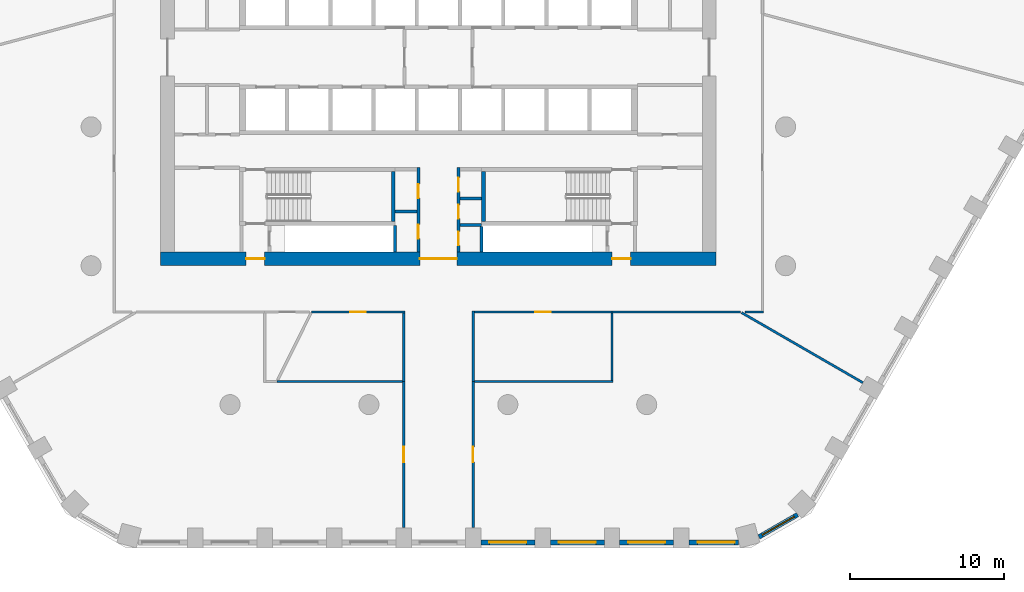
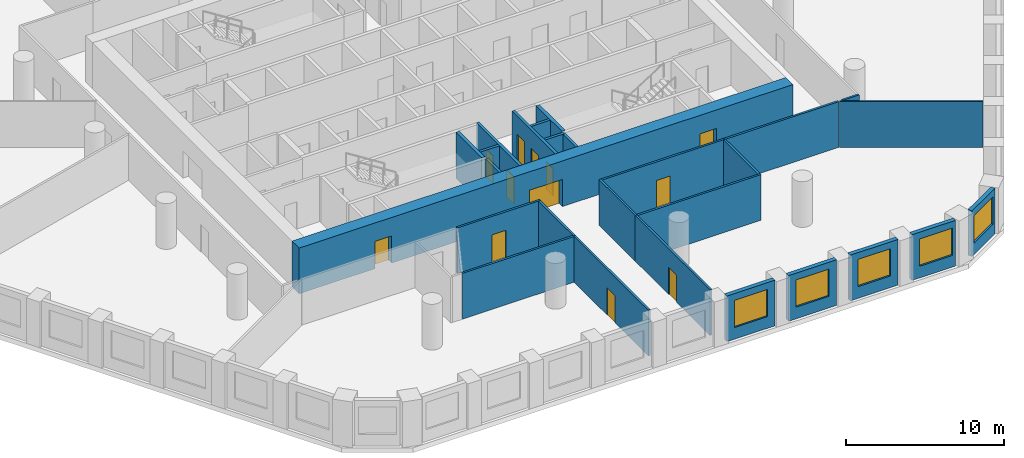
# One storey, part 3 of 9: 27 walls, 12 doors, 5 windows, 17 openings.
"""IFC4 building model written with IfcOpenShell, lengths in metres."""

import ifcopenshell
import ifcopenshell.guid

model = None  # the IFC model being written
_history = None  # IfcOwnerHistory: only IFC2X3 demands one
_inside = {}  # id of a spatial element -> (the spatial element, [elements in it])
_under = {}  # id of a project, library or spatial element -> (it, [spatial elements below it])
_declared = {}  # id of a project -> (the project, [libraries it declares])
_typed = {}  # id of a type object -> (the type object, [elements of that type])
_made_of = {}  # id of a material, layer set ... -> (it, [elements and type objects made of it])


def new_model(schema):
    """Start an empty IFC model of exactly this schema.

    Asked for "IFC4X3", IfcOpenShell would pick the latest addendum, in which some entities
    have other attributes; the version numbers below select the first issue.
    IFC2X3 requires an IfcOwnerHistory on every rooted entity: one is made here for all.
    """
    global model, _history
    if schema == "IFC4X3":
        model = ifcopenshell.file(schema_version=(4, 3, 0, 0))
    else:
        model = ifcopenshell.file(schema=schema)
    _inside.clear()
    _under.clear()
    _declared.clear()
    _typed.clear()
    _made_of.clear()
    _history = None
    if model.schema == "IFC2X3":
        org = make("IfcOrganization", Name="unknown")
        user = make(
            "IfcPersonAndOrganization",
            ThePerson=make("IfcPerson", FamilyName="unknown"),
            TheOrganization=org,
        )
        app = make(
            "IfcApplication",
            ApplicationDeveloper=org,
            Version="unknown",
            ApplicationFullName="unknown",
            ApplicationIdentifier="unknown",
        )
        _history = make(
            "IfcOwnerHistory",
            OwningUser=user,
            OwningApplication=app,
            ChangeAction="ADDED",
            CreationDate=0,
        )
    return model


def make(cls, **values):
    """One entity of the class cls with the attributes given. An attribute that is None is left unset."""
    return model.create_entity(
        cls, **{name: value for name, value in values.items() if value is not None}
    )


def rooted(cls, **values):
    """An entity with a GlobalId (a new one), such as an element, a storey or a relation."""
    return make(cls, GlobalId=ifcopenshell.guid.new(), OwnerHistory=_history, **values)


def si_unit(unit_type, name, prefix=None):
    """IfcSIUnit, for example si_unit("LENGTHUNIT", "METRE", prefix="MILLI")."""
    return make("IfcSIUnit", UnitType=unit_type, Prefix=prefix, Name=name)


def assignment(units):
    """IfcUnitAssignment: the units of a project."""
    return None if units is None else make("IfcUnitAssignment", Units=units)


def point(xyz):
    """IfcCartesianPoint."""
    return None if xyz is None else make("IfcCartesianPoint", Coordinates=xyz)


def direction(xyz):
    """IfcDirection."""
    return None if xyz is None else make("IfcDirection", DirectionRatios=xyz)


def frame(location, z_axis=None, x_axis=None):
    """IfcAxis2Placement3D, a coordinate frame: its origin and axes. An axis left out is left unset."""
    return make(
        "IfcAxis2Placement3D",
        Location=point(location),
        Axis=direction(z_axis),
        RefDirection=direction(x_axis),
    )


def frame_2d(location, x_axis=None):
    """IfcAxis2Placement2D, a coordinate frame in the plane: its origin and x axis."""
    return make(
        "IfcAxis2Placement2D", Location=point(location), RefDirection=direction(x_axis)
    )


def origin():
    """The frame at (0, 0, 0) with its axes left unset."""
    return frame((0.0, 0.0, 0.0))


def place(relative_to, where):
    """IfcLocalPlacement: puts the frame where relative to a parent placement (None: the world)."""
    return make(
        "IfcLocalPlacement", PlacementRelTo=relative_to, RelativePlacement=where
    )


def context(
    kind, dimensions, precision=None, world=None, true_north=None, identifier=None
):
    """IfcGeometricRepresentationContext, for example the 3D "Model" context."""
    return make(
        "IfcGeometricRepresentationContext",
        ContextIdentifier=identifier,
        ContextType=kind,
        CoordinateSpaceDimension=dimensions,
        Precision=precision,
        WorldCoordinateSystem=world,
        TrueNorth=true_north,
    )


def subcontext(parent, identifier, kind, view, scale=None):
    """IfcGeometricRepresentationSubContext, for example "Body" below "Model"."""
    return make(
        "IfcGeometricRepresentationSubContext",
        ContextIdentifier=identifier,
        ContextType=kind,
        ParentContext=parent,
        TargetScale=scale,
        TargetView=view,
    )


def project(units=None, contexts=None):
    """IfcProject with its units and contexts."""
    return rooted(
        "IfcProject",
        Name="project",
        RepresentationContexts=contexts,
        UnitsInContext=assignment(units),
    )


def spatial(cls, under=None, at=None, **own):
    """A site, building, storey or space (cls), placed at a placement, below another one or the project."""
    s = rooted(cls, ObjectPlacement=at, **own)
    if under is not None:
        _under.setdefault(under.id(), (under, []))[1].append(s)
    return s


def profile(cls, at=None, kind="AREA", **sizes):
    """A parametric profile (cls). Its sizes go by their IFC names, for example OverallWidth=200.0."""
    return make(cls, ProfileType=kind, Position=at, **sizes)


def rectangle(**sizes):
    """IfcRectangleProfileDef."""
    return profile("IfcRectangleProfileDef", **sizes)


def extrude(swept, where, along, depth):
    """IfcExtrudedAreaSolid: the profile swept, set in the frame where, extruded along a direction by depth."""
    return make(
        "IfcExtrudedAreaSolid",
        SweptArea=swept,
        Position=where,
        ExtrudedDirection=direction(along),
        Depth=depth,
    )


def shape(context_of_items, identifier, shape_type, items):
    """IfcShapeRepresentation: the items that make up one representation, for example the "Body"."""
    return make(
        "IfcShapeRepresentation",
        ContextOfItems=context_of_items,
        RepresentationIdentifier=identifier,
        RepresentationType=shape_type,
        Items=items,
    )


def material(Name=None, Category=None):
    """IfcMaterial."""
    return make("IfcMaterial", Name=Name, Category=Category)


def layer(
    of_material, thickness, ventilated=None, Name=None, Category=None, Priority=None
):
    """IfcMaterialLayer: one layer of a wall or slab, of a material (None: an air gap)."""
    return make(
        "IfcMaterialLayer",
        Material=of_material,
        LayerThickness=thickness,
        IsVentilated=ventilated,
        Name=Name,
        Category=Category,
        Priority=Priority,
    )


def layer_set(layers, Name=None):
    """IfcMaterialLayerSet."""
    return make("IfcMaterialLayerSet", MaterialLayers=layers, LayerSetName=Name)


def made_of(thing, what):
    """Note that an element or type object is made of a material, layer set ...; save() writes the relation."""
    if what is not None:
        _made_of.setdefault(what.id(), (what, []))[1].append(thing)
    return thing


def type_object(cls, material=None, **own):
    """A type object (cls), such as IfcWallType, which elements share."""
    return made_of(rooted(cls, **own), material)


def element(
    cls,
    number,
    at=None,
    inside=None,
    cuts=None,
    type_object=None,
    material=None,
    context=None,
    identifier="Body",
    shape_type=None,
    held_by="IfcProductDefinitionShape",
    body=None,
    shapes=None,
    **own,
):
    """One element of the class cls, such as IfcWall. Its Tag is "e" and its number.

    at: its placement. inside: the storey or other place that contains it. cuts: it is an
    opening in that element (IfcRelVoidsElement). A single representation is given by context,
    identifier, shape_type and body (its items); several are given by shapes. held_by: the class
    of the entity that holds the representations. save() writes the other relations.
    """
    e = rooted(cls, Tag="e%d" % number, ObjectPlacement=at, **own)
    if body is not None:
        shapes = [shape(context, identifier, shape_type, body)]
    if shapes is not None:
        e.Representation = make(held_by, Representations=shapes)
    if inside is not None:
        _inside.setdefault(inside.id(), (inside, []))[1].append(e)
    if cuts is not None:
        rooted(
            "IfcRelVoidsElement", RelatingBuildingElement=cuts, RelatedOpeningElement=e
        )
    if type_object is not None:
        _typed.setdefault(type_object.id(), (type_object, []))[1].append(e)
    return made_of(e, material)


def fill(opening, filler):
    """IfcRelFillsElement: the door or window that sits in an opening."""
    return rooted(
        "IfcRelFillsElement",
        RelatingOpeningElement=opening,
        RelatedBuildingElement=filler,
    )


def aggregate(whole, parts):
    """IfcRelAggregates: a whole, such as a stair, and the parts it consists of."""
    return rooted("IfcRelAggregates", RelatingObject=whole, RelatedObjects=parts)


def save(model, path):
    """Write the relations noted so far, then the file.

    IfcRelAggregates (storeys below a building ...), IfcRelContainedInSpatialStructure (elements
    in a storey), IfcRelDefinesByType, IfcRelAssociatesMaterial and IfcRelDeclares: one each for
    every whole, place, type object, material and project.
    """
    for whole, parts in _under.values():
        aggregate(whole, parts)
    for where, things in _inside.values():
        rooted(
            "IfcRelContainedInSpatialStructure",
            RelatedElements=things,
            RelatingStructure=where,
        )
    for kind, things in _typed.values():
        rooted("IfcRelDefinesByType", RelatedObjects=things, RelatingType=kind)
    for what, things in _made_of.values():
        rooted("IfcRelAssociatesMaterial", RelatedObjects=things, RelatingMaterial=what)
    for by, libraries in _declared.values():
        rooted("IfcRelDeclares", RelatingContext=by, RelatedDefinitions=libraries)
    model.write(path)


model = new_model("IFC4")

# Units and contexts
model_context = context("Model", 3, precision=1e-05, world=origin(), true_north=direction((0.0, 1.0)))
body_context = subcontext(model_context, "Body", "Model", "MODEL_VIEW")
ifc_project = project(units=[si_unit("LENGTHUNIT", "METRE"), si_unit("AREAUNIT", "SQUARE_METRE"), si_unit("VOLUMEUNIT", "CUBIC_METRE"), si_unit("PLANEANGLEUNIT", "RADIAN"), si_unit("MASSUNIT", "GRAM", prefix="KILO")], contexts=[model_context])

# Site, building, storey
site_placement = place(None, origin())
site = spatial("IfcSite", under=ifc_project, at=site_placement, CompositionType="ELEMENT")
building_placement = place(site_placement, origin())
building = spatial("IfcBuilding", under=site, at=building_placement, Name="Dhurran Vertical Campus", CompositionType="ELEMENT")
storey_placement = place(building_placement, frame((0.0, 0.0, 116.39990234375)))
storey = spatial("IfcBuildingStorey", under=building, at=storey_placement, Name="L28", CompositionType="ELEMENT", Elevation=116.39990234375)

# Wall, opening, window
ifc_material_1 = material(Name="Precast concrete C50/60", Category="concrete")
ifc_layer_1 = layer(ifc_material_1, 0.300048828125)
ifc_layer_set_1 = layer_set([ifc_layer_1], Name="Precast concrete C50/60")
wall_type_1 = type_object("IfcWallType", Name="Precast spandrel wall 300", PredefinedType="SOLIDWALL", material=ifc_layer_set_1)
wall_1_placement = place(storey_placement, frame((2.75048828125, -31.4296875, 0.0), z_axis=(0.0, 0.0, 1.0), x_axis=(1.0, 0.0, 0.0)))
wall_1 = element("IfcWall", 1, at=wall_1_placement, inside=storey, type_object=wall_type_1, Name="EW1 L28.05", PredefinedType="SOLIDWALL", context=body_context, shape_type="SweptSolid", body=[
    extrude(rectangle(XDim=3.4990234375, YDim=0.300048828125, at=frame_2d((1.74951171875, 0.0))), origin(), (0.0, 0.0, 1.0), 3.525146484375),
])
opening_1_placement = place(wall_1_placement, frame((0.549560546875, 0.0, 0.89990234375)))
opening_1 = element("IfcOpeningElement", 2, at=opening_1_placement, cuts=wall_1, Name="Opening WT1", PredefinedType="OPENING", context=body_context, shape_type="SweptSolid", body=[
    extrude(rectangle(XDim=2.39990234375, YDim=2.10009765625, at=frame_2d((1.199951171875, 1.050048828125))), frame((0.0, 0.159912109375, 0.0), z_axis=(0.0, -1.0, 0.0), x_axis=(1.0, 0.0, 0.0)), (0.0, 0.0, 1.0), 0.320068359375),
])
ifc_material_2 = material(Name="Aluminium frame with solar-control glass", Category="aluminium")
window_type = type_object("IfcWindowType", Name="Punched window 2400 x 2100", PartitioningType="SINGLE_PANEL", PredefinedType="WINDOW", material=ifc_material_2)
window_1_placement = place(opening_1_placement, origin())
window_1 = element("IfcWindow", 3, at=window_1_placement, inside=storey, type_object=window_type, Name="WT1 L28.05", OverallHeight=2.10009765625, OverallWidth=2.39990234375, PartitioningType="SINGLE_PANEL", PredefinedType="WINDOW", context=body_context, shape_type="SweptSolid", body=[
    extrude(rectangle(XDim=2.39990234375, YDim=2.10009765625, at=frame_2d((1.199951171875, 1.050048828125))), frame((0.0, 0.030029296875, 0.0), z_axis=(0.0, -1.0, 0.0), x_axis=(1.0, 0.0, 0.0)), (0.0, 0.0, 1.0), 0.06005859375),
])
fill(opening_1, window_1)

wall_2_placement = place(storey_placement, frame((7.25048828125, -31.4296875, 0.0), z_axis=(0.0, 0.0, 1.0), x_axis=(1.0, 0.0, 0.0)))
wall_2 = element("IfcWall", 4, at=wall_2_placement, inside=storey, type_object=wall_type_1, Name="EW1 L28.06", PredefinedType="SOLIDWALL", context=body_context, shape_type="SweptSolid", body=[
    extrude(rectangle(XDim=3.4990234375, YDim=0.300048828125, at=frame_2d((1.74951171875, 0.0))), origin(), (0.0, 0.0, 1.0), 3.525146484375),
])
opening_2_placement = place(wall_2_placement, frame((0.549560546875, 0.0, 0.89990234375)))
opening_2 = element("IfcOpeningElement", 5, at=opening_2_placement, cuts=wall_2, Name="Opening WT1", PredefinedType="OPENING", context=body_context, shape_type="SweptSolid", body=[
    extrude(rectangle(XDim=2.39990234375, YDim=2.10009765625, at=frame_2d((1.199951171875, 1.050048828125))), frame((0.0, 0.159912109375, 0.0), z_axis=(0.0, -1.0, 0.0), x_axis=(1.0, 0.0, 0.0)), (0.0, 0.0, 1.0), 0.320068359375),
])
window_2_placement = place(opening_2_placement, origin())
window_2 = element("IfcWindow", 6, at=window_2_placement, inside=storey, type_object=window_type, Name="WT1 L28.06", OverallHeight=2.10009765625, OverallWidth=2.39990234375, PartitioningType="SINGLE_PANEL", PredefinedType="WINDOW", context=body_context, shape_type="SweptSolid", body=[
    extrude(rectangle(XDim=2.39990234375, YDim=2.10009765625, at=frame_2d((1.199951171875, 1.050048828125))), frame((0.0, 0.030029296875, 0.0), z_axis=(0.0, -1.0, 0.0), x_axis=(1.0, 0.0, 0.0)), (0.0, 0.0, 1.0), 0.06005859375),
])
fill(opening_2, window_2)

wall_3_placement = place(storey_placement, frame((11.75048828125, -31.4296875, 0.0), z_axis=(0.0, 0.0, 1.0), x_axis=(1.0, 0.0, 0.0)))
wall_3 = element("IfcWall", 7, at=wall_3_placement, inside=storey, type_object=wall_type_1, Name="EW1 L28.07", PredefinedType="SOLIDWALL", context=body_context, shape_type="SweptSolid", body=[
    extrude(rectangle(XDim=3.4990234375, YDim=0.300048828125, at=frame_2d((1.74951171875, 0.0))), origin(), (0.0, 0.0, 1.0), 3.525146484375),
])
opening_3_placement = place(wall_3_placement, frame((0.549560546875, 0.0, 0.89990234375)))
opening_3 = element("IfcOpeningElement", 8, at=opening_3_placement, cuts=wall_3, Name="Opening WT1", PredefinedType="OPENING", context=body_context, shape_type="SweptSolid", body=[
    extrude(rectangle(XDim=2.39990234375, YDim=2.10009765625, at=frame_2d((1.199951171875, 1.050048828125))), frame((0.0, 0.159912109375, 0.0), z_axis=(0.0, -1.0, 0.0), x_axis=(1.0, 0.0, 0.0)), (0.0, 0.0, 1.0), 0.320068359375),
])
window_3_placement = place(opening_3_placement, origin())
window_3 = element("IfcWindow", 9, at=window_3_placement, inside=storey, type_object=window_type, Name="WT1 L28.07", OverallHeight=2.10009765625, OverallWidth=2.39990234375, PartitioningType="SINGLE_PANEL", PredefinedType="WINDOW", context=body_context, shape_type="SweptSolid", body=[
    extrude(rectangle(XDim=2.39990234375, YDim=2.10009765625, at=frame_2d((1.199951171875, 1.050048828125))), frame((0.0, 0.030029296875, 0.0), z_axis=(0.0, -1.0, 0.0), x_axis=(1.0, 0.0, 0.0)), (0.0, 0.0, 1.0), 0.06005859375),
])
fill(opening_3, window_3)

wall_4_placement = place(storey_placement, frame((16.25048828125, -31.4296875, 0.0), z_axis=(0.0, 0.0, 1.0), x_axis=(1.0, 0.0, 0.0)))
wall_4 = element("IfcWall", 10, at=wall_4_placement, inside=storey, type_object=wall_type_1, Name="EW1 L28.08", PredefinedType="SOLIDWALL", context=body_context, shape_type="SweptSolid", body=[
    extrude(rectangle(XDim=3.1923828125, YDim=0.300048828125, at=frame_2d((1.59619140625, 0.0))), origin(), (0.0, 0.0, 1.0), 3.525146484375),
])
opening_4_placement = place(wall_4_placement, frame((0.549560546875, 0.0, 0.89990234375)))
opening_4 = element("IfcOpeningElement", 11, at=opening_4_placement, cuts=wall_4, Name="Opening WT1", PredefinedType="OPENING", context=body_context, shape_type="SweptSolid", body=[
    extrude(rectangle(XDim=2.39990234375, YDim=2.10009765625, at=frame_2d((1.199951171875, 1.050048828125))), frame((0.0, 0.159912109375, 0.0), z_axis=(0.0, -1.0, 0.0), x_axis=(1.0, 0.0, 0.0)), (0.0, 0.0, 1.0), 0.320068359375),
])
window_4_placement = place(opening_4_placement, origin())
window_4 = element("IfcWindow", 12, at=window_4_placement, inside=storey, type_object=window_type, Name="WT1 L28.08", OverallHeight=2.10009765625, OverallWidth=2.39990234375, PartitioningType="SINGLE_PANEL", PredefinedType="WINDOW", context=body_context, shape_type="SweptSolid", body=[
    extrude(rectangle(XDim=2.39990234375, YDim=2.10009765625, at=frame_2d((1.199951171875, 1.050048828125))), frame((0.0, 0.030029296875, 0.0), z_axis=(0.0, -1.0, 0.0), x_axis=(1.0, 0.0, 0.0)), (0.0, 0.0, 1.0), 0.06005859375),
])
fill(opening_4, window_4)

wall_5_placement = place(storey_placement, frame((20.774169921875, -31.072998046875, 0.0), z_axis=(0.0, 0.0, 1.0), x_axis=(0.866053149362, 0.49995194017, 0.0)))
wall_5 = element("IfcWall", 13, at=wall_5_placement, inside=storey, type_object=wall_type_1, Name="EW1 L28.09", PredefinedType="SOLIDWALL", context=body_context, shape_type="SweptSolid", body=[
    extrude(rectangle(XDim=2.885498046875, YDim=0.300048828125, at=frame_2d((1.44287109375, 0.0))), origin(), (0.0, 0.0, 1.0), 3.525146484375),
])
opening_5_placement = place(wall_5_placement, frame((0.242919921875, 0.0, 0.89990234375)))
opening_5 = element("IfcOpeningElement", 14, at=opening_5_placement, cuts=wall_5, Name="Opening WT1", PredefinedType="OPENING", context=body_context, shape_type="SweptSolid", body=[
    extrude(rectangle(XDim=2.39990234375, YDim=2.10009765625, at=frame_2d((1.199951171875, 1.050048828125))), frame((0.0, 0.159912109375, 0.0), z_axis=(0.0, -1.0, 0.0), x_axis=(1.0, 0.0, 0.0)), (0.0, 0.0, 1.0), 0.320068359375),
])
window_5_placement = place(opening_5_placement, origin())
window_5 = element("IfcWindow", 15, at=window_5_placement, inside=storey, type_object=window_type, Name="WT1 L28.09", OverallHeight=2.10009765625, OverallWidth=2.39990234375, PartitioningType="SINGLE_PANEL", PredefinedType="WINDOW", context=body_context, shape_type="SweptSolid", body=[
    extrude(rectangle(XDim=2.39990234375, YDim=2.10009765625, at=frame_2d((1.199951171875, 1.050048828125))), frame((0.0, 0.030029296875, 0.0), z_axis=(0.0, -1.0, 0.0), x_axis=(1.0, 0.0, 0.0)), (0.0, 0.0, 1.0), 0.06005859375),
])
fill(opening_5, window_5)

# Wall, openings, doors
ifc_material_3 = material(Name="Concrete C60/75", Category="concrete")
ifc_layer_2 = layer(ifc_material_3, 0.89990234375)
ifc_layer_set_2 = layer_set([ifc_layer_2], Name="Concrete C60/75")
wall_type_2 = type_object("IfcWallType", Name="co-CORE-WALL-C0-900", PredefinedType="SHEAR", material=ifc_layer_set_2)
wall_6_placement = place(storey_placement, frame((-18.0, -13.050048828125, 0.0), z_axis=(0.0, 0.0, 1.0), x_axis=(1.0, 0.0, 0.0)))
wall_6 = element("IfcWall", 16, at=wall_6_placement, inside=storey, type_object=wall_type_2, Name="Core wall S L28", PredefinedType="SHEAR", context=body_context, shape_type="SweptSolid", body=[
    extrude(rectangle(XDim=36.0, YDim=0.89990234375, at=frame_2d((18.0, 0.0))), origin(), (0.0, 0.0, 1.0), 3.525146484375),
])
opening_6_placement = place(wall_6_placement, frame((16.800048828125, 0.0, 0.0)))
opening_6 = element("IfcOpeningElement", 17, at=opening_6_placement, cuts=wall_6, Name="Opening CV2", PredefinedType="OPENING", context=body_context, shape_type="SweptSolid", body=[
    extrude(rectangle(XDim=2.39990234375, YDim=2.10009765625, at=frame_2d((1.199951171875, 1.050048828125))), frame((0.0, 0.4599609375, 0.0), z_axis=(0.0, -1.0, 0.0), x_axis=(1.0, 0.0, 0.0)), (0.0, 0.0, 1.0), 0.919921875),
])
opening_7_placement = place(wall_6_placement, frame((5.550048828125, 0.0, 0.0)))
opening_7 = element("IfcOpeningElement", 18, at=opening_7_placement, cuts=wall_6, Name="Opening XD3", PredefinedType="OPENING", context=body_context, shape_type="SweptSolid", body=[
    extrude(rectangle(XDim=1.199951171875, YDim=2.10009765625, at=frame_2d((0.60009765625, 1.050048828125))), frame((0.0, 0.4599609375, 0.0), z_axis=(0.0, -1.0, 0.0), x_axis=(1.0, 0.0, 0.0)), (0.0, 0.0, 1.0), 0.919921875),
])
opening_8_placement = place(wall_6_placement, frame((29.25, 0.0, 0.0)))
opening_8 = element("IfcOpeningElement", 19, at=opening_8_placement, cuts=wall_6, Name="Opening XD4", PredefinedType="OPENING", context=body_context, shape_type="SweptSolid", body=[
    extrude(rectangle(XDim=1.199951171875, YDim=2.10009765625, at=frame_2d((0.60009765625, 1.050048828125))), frame((0.0, 0.4599609375, 0.0), z_axis=(0.0, -1.0, 0.0), x_axis=(1.0, 0.0, 0.0)), (0.0, 0.0, 1.0), 0.919921875),
])
ifc_material_4 = material(Name="Fire-rated glazed door set")
door_type_1 = type_object("IfcDoorType", Name="co-D-LOBBY 2400x2100", OperationType="DOUBLE_DOOR_DOUBLE_SWING", PredefinedType="DOOR", material=ifc_material_4)
door_1_placement = place(opening_6_placement, origin())
door_1 = element("IfcDoor", 20, at=door_1_placement, inside=storey, type_object=door_type_1, Name="Core vestibule door S L28", OperationType="DOUBLE_DOOR_DOUBLE_SWING", OverallHeight=2.10009765625, OverallWidth=2.39990234375, PredefinedType="DOOR", context=body_context, shape_type="SweptSolid", body=[
    extrude(rectangle(XDim=2.39990234375, YDim=2.10009765625, at=frame_2d((1.199951171875, 1.050048828125))), frame((0.0, 0.02490234375, 0.0), z_axis=(0.0, -1.0, 0.0), x_axis=(1.0, 0.0, 0.0)), (0.0, 0.0, 1.0), 0.050048828125),
])
fill(opening_6, door_1)
ifc_material_5 = material(Name="Fire-rated steel door set", Category="steel")
door_type_2 = type_object("IfcDoorType", Name="co-D-STAIR-EXIT 1200x2100", OperationType="SINGLE_SWING_RIGHT", PredefinedType="DOOR", material=ifc_material_5)
door_2_placement = place(opening_7_placement, origin())
door_2 = element("IfcDoor", 21, at=door_2_placement, inside=storey, type_object=door_type_2, Name="Stair ST3 exit door L28", OperationType="SINGLE_SWING_RIGHT", OverallHeight=2.10009765625, OverallWidth=1.199951171875, PredefinedType="DOOR", context=body_context, shape_type="SweptSolid", body=[
    extrude(rectangle(XDim=1.199951171875, YDim=2.10009765625, at=frame_2d((0.60009765625, 1.050048828125))), frame((0.0, 0.02490234375, 0.0), z_axis=(0.0, -1.0, 0.0), x_axis=(1.0, 0.0, 0.0)), (0.0, 0.0, 1.0), 0.050048828125),
])
fill(opening_7, door_2)
door_3_placement = place(opening_8_placement, origin())
door_3 = element("IfcDoor", 22, at=door_3_placement, inside=storey, type_object=door_type_2, Name="Stair ST4 exit door L28", OperationType="SINGLE_SWING_RIGHT", OverallHeight=2.10009765625, OverallWidth=1.199951171875, PredefinedType="DOOR", context=body_context, shape_type="SweptSolid", body=[
    extrude(rectangle(XDim=1.199951171875, YDim=2.10009765625, at=frame_2d((0.60009765625, 1.050048828125))), frame((0.0, 0.02490234375, 0.0), z_axis=(0.0, -1.0, 0.0), x_axis=(1.0, 0.0, 0.0)), (0.0, 0.0, 1.0), 0.050048828125),
])
fill(opening_8, door_3)

# Walls
ifc_material_6 = material(Name="Fire-rated masonry blockwork", Category="masonry")
ifc_layer_3 = layer(ifc_material_6, 0.199951171875)
ifc_layer_set_3 = layer_set([ifc_layer_3], Name="Fire-rated masonry blockwork")
wall_type_3 = type_object("IfcWallType", Name="co-FIRE-PARTITION-200", PredefinedType="PARTITIONING", material=ifc_layer_set_3)
for number, where, z_axis, x_axis, name in (
    (23, (-2.800048828125, -9.97509765625, 0.0), (0.0, 0.0, 1.0), (1.0, 0.0, 0.0), "Core partition sl-SW-cut0 L28"),
    (24, (1.39990234375, -9.135009765625, 0.0), (0.0, 0.0, 1.0), (1.0, 0.0, 0.0), "Core partition sl-SE-cut0 L28"),
    (25, (1.39990234375, -10.867431640625, 0.0), (0.0, 0.0, 1.0), (1.0, 0.0, 0.0), "Core partition sl-SE-cut1 L28"),
):
    element("IfcWall", number, at=place(storey_placement, frame(where, z_axis=z_axis, x_axis=x_axis)), inside=storey, type_object=wall_type_3, Name=name, PredefinedType="PARTITIONING", context=body_context, shape_type="SweptSolid", body=[
        extrude(rectangle(XDim=1.400146484375, YDim=0.199951171875, at=frame_2d((0.7001953125, 0.0))), origin(), (0.0, 0.0, 1.0), 3.525146484375),
    ])

# Wall, openings, doors
wall_7_placement = place(storey_placement, frame((-1.300048828125, -12.60009765625, 0.0), z_axis=(0.0, 0.0, 1.0), x_axis=(0.0, 1.0, 0.0)))
wall_7 = element("IfcWall", 26, at=wall_7_placement, inside=storey, type_object=wall_type_3, Name="Core partition vest-SW L28", PredefinedType="PARTITIONING", context=body_context, shape_type="SweptSolid", body=[
    extrude(rectangle(XDim=5.4501953125, YDim=0.199951171875, at=frame_2d((2.72509765625, 0.0))), origin(), (0.0, 0.0, 1.0), 3.525146484375),
])
opening_9_placement = place(wall_7_placement, frame((0.862548828125, 0.0, 0.0)))
opening_9 = element("IfcOpeningElement", 27, at=opening_9_placement, cuts=wall_7, Name="Opening T08-C1", PredefinedType="OPENING", context=body_context, shape_type="SweptSolid", body=[
    extrude(rectangle(XDim=0.89990234375, YDim=2.10009765625, at=frame_2d((0.449951171875, 1.050048828125))), frame((0.0, 0.10986328125, 0.0), z_axis=(0.0, -1.0, 0.0), x_axis=(1.0, 0.0, 0.0)), (0.0, 0.0, 1.0), 0.219970703125),
])
opening_10_placement = place(wall_7_placement, frame((3.487548828125, 0.0, 0.0)))
opening_10 = element("IfcOpeningElement", 28, at=opening_10_placement, cuts=wall_7, Name="Opening T08-C2", PredefinedType="OPENING", context=body_context, shape_type="SweptSolid", body=[
    extrude(rectangle(XDim=0.89990234375, YDim=2.10009765625, at=frame_2d((0.449951171875, 1.050048828125))), frame((0.0, 0.10986328125, 0.0), z_axis=(0.0, -1.0, 0.0), x_axis=(1.0, 0.0, 0.0)), (0.0, 0.0, 1.0), 0.219970703125),
])
ifc_material_7 = material(Name="Fire-rated timber door set", Category="wood")
door_type_3 = type_object("IfcDoorType", Name="co-D-ROOM 900x2100", OperationType="SINGLE_SWING_LEFT", PredefinedType="DOOR", material=ifc_material_7)
door_4_placement = place(opening_9_placement, origin())
door_4 = element("IfcDoor", 29, at=door_4_placement, inside=storey, type_object=door_type_3, Name="Electrical riser door L28", OperationType="SINGLE_SWING_LEFT", OverallHeight=2.10009765625, OverallWidth=0.89990234375, PredefinedType="DOOR", context=body_context, shape_type="SweptSolid", body=[
    extrude(rectangle(XDim=0.89990234375, YDim=2.10009765625, at=frame_2d((0.449951171875, 1.050048828125))), frame((0.0, 0.02490234375, 0.0), z_axis=(0.0, -1.0, 0.0), x_axis=(1.0, 0.0, 0.0)), (0.0, 0.0, 1.0), 0.050048828125),
])
fill(opening_9, door_4)
door_5_placement = place(opening_10_placement, origin())
door_5 = element("IfcDoor", 30, at=door_5_placement, inside=storey, type_object=door_type_3, Name="Cleaner's store door L28", OperationType="SINGLE_SWING_LEFT", OverallHeight=2.10009765625, OverallWidth=0.89990234375, PredefinedType="DOOR", context=body_context, shape_type="SweptSolid", body=[
    extrude(rectangle(XDim=0.89990234375, YDim=2.10009765625, at=frame_2d((0.449951171875, 1.050048828125))), frame((0.0, 0.02490234375, 0.0), z_axis=(0.0, -1.0, 0.0), x_axis=(1.0, 0.0, 0.0)), (0.0, 0.0, 1.0), 0.050048828125),
])
fill(opening_10, door_5)

wall_8_placement = place(storey_placement, frame((1.300048828125, -12.60009765625, 0.0), z_axis=(0.0, 0.0, 1.0), x_axis=(0.0, 1.0, 0.0)))
wall_8 = element("IfcWall", 31, at=wall_8_placement, inside=storey, type_object=wall_type_3, Name="Core partition vest-SE L28", PredefinedType="PARTITIONING", context=body_context, shape_type="SweptSolid", body=[
    extrude(rectangle(XDim=5.4501953125, YDim=0.199951171875, at=frame_2d((2.72509765625, 0.0))), origin(), (0.0, 0.0, 1.0), 3.525146484375),
])
opening_11_placement = place(wall_8_placement, frame((0.416259765625, 0.0, 0.0)))
opening_11 = element("IfcOpeningElement", 32, at=opening_11_placement, cuts=wall_8, Name="Opening T08-C3", PredefinedType="OPENING", context=body_context, shape_type="SweptSolid", body=[
    extrude(rectangle(XDim=0.89990234375, YDim=2.10009765625, at=frame_2d((0.449951171875, 1.050048828125))), frame((0.0, 0.10986328125, 0.0), z_axis=(0.0, -1.0, 0.0), x_axis=(1.0, 0.0, 0.0)), (0.0, 0.0, 1.0), 0.219970703125),
])
opening_12_placement = place(wall_8_placement, frame((2.148681640625, 0.0, 0.0)))
opening_12 = element("IfcOpeningElement", 33, at=opening_12_placement, cuts=wall_8, Name="Opening T08-C4", PredefinedType="OPENING", context=body_context, shape_type="SweptSolid", body=[
    extrude(rectangle(XDim=0.89990234375, YDim=2.10009765625, at=frame_2d((0.449951171875, 1.050048828125))), frame((0.0, 0.10986328125, 0.0), z_axis=(0.0, -1.0, 0.0), x_axis=(1.0, 0.0, 0.0)), (0.0, 0.0, 1.0), 0.219970703125),
])
opening_13_placement = place(wall_8_placement, frame((3.907470703125, 0.0, 0.0)))
opening_13 = element("IfcOpeningElement", 34, at=opening_13_placement, cuts=wall_8, Name="Opening T08-C5", PredefinedType="OPENING", context=body_context, shape_type="SweptSolid", body=[
    extrude(rectangle(XDim=0.89990234375, YDim=2.10009765625, at=frame_2d((0.449951171875, 1.050048828125))), frame((0.0, 0.10986328125, 0.0), z_axis=(0.0, -1.0, 0.0), x_axis=(1.0, 0.0, 0.0)), (0.0, 0.0, 1.0), 0.219970703125),
])
door_6_placement = place(opening_11_placement, origin())
door_6 = element("IfcDoor", 35, at=door_6_placement, inside=storey, type_object=door_type_3, Name="Plant room door L28", OperationType="SINGLE_SWING_LEFT", OverallHeight=2.10009765625, OverallWidth=0.89990234375, PredefinedType="DOOR", context=body_context, shape_type="SweptSolid", body=[
    extrude(rectangle(XDim=0.89990234375, YDim=2.10009765625, at=frame_2d((0.449951171875, 1.050048828125))), frame((0.0, 0.02490234375, 0.0), z_axis=(0.0, -1.0, 0.0), x_axis=(1.0, 0.0, 0.0)), (0.0, 0.0, 1.0), 0.050048828125),
])
fill(opening_11, door_6)
door_7_placement = place(opening_12_placement, origin())
door_7 = element("IfcDoor", 36, at=door_7_placement, inside=storey, type_object=door_type_3, Name="Waste room door L28", OperationType="SINGLE_SWING_LEFT", OverallHeight=2.10009765625, OverallWidth=0.89990234375, PredefinedType="DOOR", context=body_context, shape_type="SweptSolid", body=[
    extrude(rectangle(XDim=0.89990234375, YDim=2.10009765625, at=frame_2d((0.449951171875, 1.050048828125))), frame((0.0, 0.02490234375, 0.0), z_axis=(0.0, -1.0, 0.0), x_axis=(1.0, 0.0, 0.0)), (0.0, 0.0, 1.0), 0.050048828125),
])
fill(opening_12, door_7)
door_8_placement = place(opening_13_placement, origin())
door_8 = element("IfcDoor", 37, at=door_8_placement, inside=storey, type_object=door_type_3, Name="Store door L28", OperationType="SINGLE_SWING_LEFT", OverallHeight=2.10009765625, OverallWidth=0.89990234375, PredefinedType="DOOR", context=body_context, shape_type="SweptSolid", body=[
    extrude(rectangle(XDim=0.89990234375, YDim=2.10009765625, at=frame_2d((0.449951171875, 1.050048828125))), frame((0.0, 0.02490234375, 0.0), z_axis=(0.0, -1.0, 0.0), x_axis=(1.0, 0.0, 0.0)), (0.0, 0.0, 1.0), 0.050048828125),
])
fill(opening_13, door_8)

# Walls
wall_9_placement = place(storey_placement, frame((-2.800048828125, -12.59912109375, 0.0), z_axis=(0.0, 0.0, 1.0), x_axis=(0.0, 1.0, 0.0)))
element("IfcWall", 38, at=wall_9_placement, inside=storey, type_object=wall_type_3, Name="Riser enclosure wall L28", PredefinedType="PARTITIONING", context=body_context, shape_type="SweptSolid", body=[
    extrude(rectangle(XDim=1.6982421875, YDim=0.199951171875, at=frame_2d((0.84912109375, 0.0))), origin(), (0.0, 0.0, 1.0), 3.525146484375),
])
wall_10_placement = place(storey_placement, frame((2.800048828125, -10.968505859375, 0.0), z_axis=(0.0, 0.0, 1.0), x_axis=(0.0, -1.0, 0.0)))
element("IfcWall", 39, at=wall_10_placement, inside=storey, type_object=wall_type_3, Name="Riser enclosure wall L28", PredefinedType="PARTITIONING", context=body_context, shape_type="SweptSolid", body=[
    extrude(rectangle(XDim=1.630615234375, YDim=0.199951171875, at=frame_2d((0.8154296875, 0.0))), origin(), (0.0, 0.0, 1.0), 3.525146484375),
])
ifc_material_8 = material(Name="Concrete C40/50", Category="concrete")
ifc_layer_4 = layer(ifc_material_8, 0.25)
ifc_layer_set_4 = layer_set([ifc_layer_4], Name="Concrete C40/50")
wall_type_4 = type_object("IfcWallType", Name="co-STAIR-WALL-250", PredefinedType="SHEAR", material=ifc_layer_set_4)
for number, where, z_axis, x_axis, name in (
    (40, (-2.925048828125, -10.64990234375, 0.0), (0.0, 0.0, 1.0), (0.0, 1.0, 0.0), "Stair ST3 enclosure wall L28"),
    (41, (2.925048828125, -10.64990234375, 0.0), (0.0, 0.0, 1.0), (0.0, 1.0, 0.0), "Stair ST4 enclosure wall L28"),
):
    element("IfcWall", number, at=place(storey_placement, frame(where, z_axis=z_axis, x_axis=x_axis)), inside=storey, type_object=wall_type_4, Name=name, PredefinedType="SHEAR", context=body_context, shape_type="SweptSolid", body=[
        extrude(rectangle(XDim=3.25, YDim=0.25, at=frame_2d((1.625, 0.0))), origin(), (0.0, 0.0, 1.0), 3.525146484375),
    ])

# Wall, opening, door
ifc_material_9 = material(Name="Gypsum board corridor wall on steel studs", Category="steel")
ifc_layer_5 = layer(ifc_material_9, 0.14990234375)
ifc_layer_set_5 = layer_set([ifc_layer_5], Name="Gypsum board corridor wall on steel studs")
wall_type_5 = type_object("IfcWallType", Name="fl-CW-150 corridor wall", PredefinedType="PARTITIONING", material=ifc_layer_set_5)
wall_11_placement = place(storey_placement, frame((-8.218017578125, -16.5, 0.0), z_axis=(0.0, 0.0, 1.0), x_axis=(1.0, 0.0, 0.0)))
wall_11 = element("IfcWall", 42, at=wall_11_placement, inside=storey, type_object=wall_type_5, Name="Partition 28-17", PredefinedType="PARTITIONING", context=body_context, shape_type="SweptSolid", body=[
    extrude(rectangle(XDim=6.04296875, YDim=0.14990234375, at=frame_2d((3.021484375, 0.0))), origin(), (0.0, 0.0, 1.0), 3.525146484375),
])
opening_14_placement = place(wall_11_placement, frame((2.521484375, 0.0, 0.0)))
opening_14 = element("IfcOpeningElement", 43, at=opening_14_placement, cuts=wall_11, Name="Opening T08.07", PredefinedType="OPENING", context=body_context, shape_type="SweptSolid", body=[
    extrude(rectangle(XDim=1.0, YDim=2.10009765625, at=frame_2d((0.5, 1.050048828125))), frame((0.0, 0.0849609375, 0.0), z_axis=(0.0, -1.0, 0.0), x_axis=(1.0, 0.0, 0.0)), (0.0, 0.0, 1.0), 0.169921875),
])
ifc_material_10 = material(Name="Solid-core timber door set, fire-rated", Category="wood")
door_type_4 = type_object("IfcDoorType", Name="fl-D-1000x2100", OperationType="SINGLE_SWING_LEFT", PredefinedType="DOOR", material=ifc_material_10)
door_9_placement = place(opening_14_placement, origin())
door_9 = element("IfcDoor", 44, at=door_9_placement, inside=storey, type_object=door_type_4, Name="Door 28.07", OperationType="SINGLE_SWING_RIGHT", OverallHeight=2.10009765625, OverallWidth=1.0, PredefinedType="DOOR", context=body_context, shape_type="SweptSolid", body=[
    extrude(rectangle(XDim=1.0, YDim=2.10009765625, at=frame_2d((0.5, 1.050048828125))), frame((0.0, 0.02490234375, 0.0), z_axis=(0.0, -1.0, 0.0), x_axis=(1.0, 0.0, 0.0)), (0.0, 0.0, 1.0), 0.050048828125),
])
fill(opening_14, door_9)

wall_12_placement = place(storey_placement, frame((-2.25, -30.459716796875, 0.0), z_axis=(0.0, 0.0, 1.0), x_axis=(0.0, 1.0, 0.0)))
wall_12 = element("IfcWall", 45, at=wall_12_placement, inside=storey, type_object=wall_type_5, Name="Partition 28-18", PredefinedType="PARTITIONING", context=body_context, shape_type="SweptSolid", body=[
    extrude(rectangle(XDim=9.459716796875, YDim=0.14990234375, at=frame_2d((4.72998046875, 0.0))), origin(), (0.0, 0.0, 1.0), 3.525146484375),
])
opening_15_placement = place(wall_12_placement, frame((4.22998046875, 0.0, 0.0)))
opening_15 = element("IfcOpeningElement", 46, at=opening_15_placement, cuts=wall_12, Name="Opening T08.04", PredefinedType="OPENING", context=body_context, shape_type="SweptSolid", body=[
    extrude(rectangle(XDim=1.0, YDim=2.10009765625, at=frame_2d((0.5, 1.050048828125))), frame((0.0, 0.0849609375, 0.0), z_axis=(0.0, -1.0, 0.0), x_axis=(1.0, 0.0, 0.0)), (0.0, 0.0, 1.0), 0.169921875),
])
door_10_placement = place(opening_15_placement, origin())
door_10 = element("IfcDoor", 47, at=door_10_placement, inside=storey, type_object=door_type_4, Name="Door 28.04", OperationType="SINGLE_SWING_LEFT", OverallHeight=2.10009765625, OverallWidth=1.0, PredefinedType="DOOR", context=body_context, shape_type="SweptSolid", body=[
    extrude(rectangle(XDim=1.0, YDim=2.10009765625, at=frame_2d((0.5, 1.050048828125))), frame((0.0, 0.02490234375, 0.0), z_axis=(0.0, -1.0, 0.0), x_axis=(1.0, 0.0, 0.0)), (0.0, 0.0, 1.0), 0.050048828125),
])
fill(opening_15, door_10)

# Wall
wall_13_placement = place(storey_placement, frame((-2.25, -21.0, 0.0), z_axis=(0.0, 0.0, 1.0), x_axis=(0.0, 1.0, 0.0)))
element("IfcWall", 48, at=wall_13_placement, inside=storey, type_object=wall_type_5, Name="Partition 28-19", PredefinedType="PARTITIONING", context=body_context, shape_type="SweptSolid", body=[
    extrude(rectangle(XDim=4.425048828125, YDim=0.14990234375, at=frame_2d((2.21240234375, 0.0))), origin(), (0.0, 0.0, 1.0), 3.525146484375),
])

# Wall, opening, door
wall_14_placement = place(storey_placement, frame((2.25, -21.0, 0.0), z_axis=(0.0, 0.0, 1.0), x_axis=(0.0, -1.0, 0.0)))
wall_14 = element("IfcWall", 49, at=wall_14_placement, inside=storey, type_object=wall_type_5, Name="Partition 28-22", PredefinedType="PARTITIONING", context=body_context, shape_type="SweptSolid", body=[
    extrude(rectangle(XDim=9.459716796875, YDim=0.14990234375, at=frame_2d((4.72998046875, 0.0))), origin(), (0.0, 0.0, 1.0), 3.525146484375),
])
opening_16_placement = place(wall_14_placement, frame((4.22998046875, 0.0, 0.0)))
opening_16 = element("IfcOpeningElement", 50, at=opening_16_placement, cuts=wall_14, Name="Opening T08.10", PredefinedType="OPENING", context=body_context, shape_type="SweptSolid", body=[
    extrude(rectangle(XDim=1.0, YDim=2.10009765625, at=frame_2d((0.5, 1.050048828125))), frame((0.0, 0.0849609375, 0.0), z_axis=(0.0, -1.0, 0.0), x_axis=(1.0, 0.0, 0.0)), (0.0, 0.0, 1.0), 0.169921875),
])
door_11_placement = place(opening_16_placement, origin())
door_11 = element("IfcDoor", 51, at=door_11_placement, inside=storey, type_object=door_type_4, Name="Door 28.10", OperationType="SINGLE_SWING_RIGHT", OverallHeight=2.10009765625, OverallWidth=1.0, PredefinedType="DOOR", context=body_context, shape_type="SweptSolid", body=[
    extrude(rectangle(XDim=1.0, YDim=2.10009765625, at=frame_2d((0.5, 1.050048828125))), frame((0.0, 0.02490234375, 0.0), z_axis=(0.0, -1.0, 0.0), x_axis=(1.0, 0.0, 0.0)), (0.0, 0.0, 1.0), 0.050048828125),
])
fill(opening_16, door_11)

# Wall
wall_15_placement = place(storey_placement, frame((2.25, -16.425048828125, 0.0), z_axis=(0.0, 0.0, 1.0), x_axis=(0.0, -1.0, 0.0)))
element("IfcWall", 52, at=wall_15_placement, inside=storey, type_object=wall_type_5, Name="Partition 28-23", PredefinedType="PARTITIONING", context=body_context, shape_type="SweptSolid", body=[
    extrude(rectangle(XDim=4.574951171875, YDim=0.14990234375, at=frame_2d((2.28759765625, 0.0))), origin(), (0.0, 0.0, 1.0), 3.525146484375),
])

# Wall, opening, door
wall_16_placement = place(storey_placement, frame((2.324951171875, -16.5, 0.0), z_axis=(0.0, 0.0, 1.0), x_axis=(1.0, 0.0, 0.0)))
wall_16 = element("IfcWall", 53, at=wall_16_placement, inside=storey, type_object=wall_type_5, Name="Partition 28-25", PredefinedType="PARTITIONING", context=body_context, shape_type="SweptSolid", body=[
    extrude(rectangle(XDim=8.925048828125, YDim=0.14990234375, at=frame_2d((4.46240234375, 0.0))), origin(), (0.0, 0.0, 1.0), 3.525146484375),
])
opening_17_placement = place(wall_16_placement, frame((3.96240234375, 0.0, 0.0)))
opening_17 = element("IfcOpeningElement", 54, at=opening_17_placement, cuts=wall_16, Name="Opening T08.08", PredefinedType="OPENING", context=body_context, shape_type="SweptSolid", body=[
    extrude(rectangle(XDim=1.0, YDim=2.10009765625, at=frame_2d((0.5, 1.050048828125))), frame((0.0, 0.0849609375, 0.0), z_axis=(0.0, -1.0, 0.0), x_axis=(1.0, 0.0, 0.0)), (0.0, 0.0, 1.0), 0.169921875),
])
door_12_placement = place(opening_17_placement, origin())
door_12 = element("IfcDoor", 55, at=door_12_placement, inside=storey, type_object=door_type_4, Name="Door 28.08", OperationType="SINGLE_SWING_RIGHT", OverallHeight=2.10009765625, OverallWidth=1.0, PredefinedType="DOOR", context=body_context, shape_type="SweptSolid", body=[
    extrude(rectangle(XDim=1.0, YDim=2.10009765625, at=frame_2d((0.5, 1.050048828125))), frame((0.0, 0.02490234375, 0.0), z_axis=(0.0, -1.0, 0.0), x_axis=(1.0, 0.0, 0.0)), (0.0, 0.0, 1.0), 0.050048828125),
])
fill(opening_17, door_12)

# Walls
wall_17_placement = place(storey_placement, frame((11.25, -16.5, 0.0), z_axis=(0.0, 0.0, 1.0), x_axis=(1.0, 0.0, 0.0)))
element("IfcWall", 56, at=wall_17_placement, inside=storey, type_object=wall_type_5, Name="Partition 28-27", PredefinedType="PARTITIONING", context=body_context, shape_type="SweptSolid", body=[
    extrude(rectangle(XDim=8.3291015625, YDim=0.14990234375, at=frame_2d((4.16455078125, 0.0))), origin(), (0.0, 0.0, 1.0), 3.525146484375),
])
wall_18_placement = place(storey_placement, frame((19.85400390625, -16.5, 0.0), z_axis=(0.0, 0.0, 1.0), x_axis=(1.0, 0.0, 0.0)))
element("IfcWall", 57, at=wall_18_placement, inside=storey, type_object=wall_type_5, Name="Partition 28-30", PredefinedType="PARTITIONING", context=body_context, shape_type="SweptSolid", body=[
    extrude(rectangle(XDim=1.220947265625, YDim=0.14990234375, at=frame_2d((0.6103515625, 0.0))), origin(), (0.0, 0.0, 1.0), 3.525146484375),
])
ifc_material_11 = material(Name="Gypsum board partition on steel studs", Category="steel")
ifc_layer_6 = layer(ifc_material_11, 0.14990234375)
ifc_layer_set_6 = layer_set([ifc_layer_6], Name="Gypsum board partition on steel studs")
wall_type_6 = type_object("IfcWallType", Name="fl-PW-150 fixed partition", PredefinedType="PARTITIONING", material=ifc_layer_set_6)
wall_19_placement = place(storey_placement, frame((-10.4609375, -21.0, 0.0), z_axis=(0.0, 0.0, 1.0), x_axis=(1.0, 0.0, 0.0)))
element("IfcWall", 58, at=wall_19_placement, inside=storey, type_object=wall_type_6, Name="Partition 28-16", PredefinedType="PARTITIONING", context=body_context, shape_type="SweptSolid", body=[
    extrude(rectangle(XDim=8.135986328125, YDim=0.14990234375, at=frame_2d((4.06787109375, 0.0))), origin(), (0.0, 0.0, 1.0), 3.525146484375),
])
wall_20_placement = place(storey_placement, frame((11.324951171875, -21.0, 0.0), z_axis=(0.0, 0.0, 1.0), x_axis=(-1.0, 0.0, 0.0)))
element("IfcWall", 59, at=wall_20_placement, inside=storey, type_object=wall_type_6, Name="Partition 28-24", PredefinedType="PARTITIONING", context=body_context, shape_type="SweptSolid", body=[
    extrude(rectangle(XDim=9.0, YDim=0.14990234375, at=frame_2d((4.5, 0.0))), origin(), (0.0, 0.0, 1.0), 3.525146484375),
])
wall_21_placement = place(storey_placement, frame((11.25, -16.574951171875, 0.0), z_axis=(0.0, 0.0, 1.0), x_axis=(0.0, -1.0, 0.0)))
element("IfcWall", 60, at=wall_21_placement, inside=storey, type_object=wall_type_6, Name="Partition 28-26", PredefinedType="PARTITIONING", context=body_context, shape_type="SweptSolid", body=[
    extrude(rectangle(XDim=4.35009765625, YDim=0.14990234375, at=frame_2d((2.175048828125, 0.0))), origin(), (0.0, 0.0, 1.0), 3.525146484375),
])
wall_22_placement = place(storey_placement, frame((19.643798828125, -16.53759765625, 0.0), z_axis=(0.0, 0.0, 1.0), x_axis=(0.866004606565, -0.500036020111, 0.0)))
element("IfcWall", 61, at=wall_22_placement, inside=storey, type_object=wall_type_6, Name="Partition 28-31", PredefinedType="PARTITIONING", context=body_context, shape_type="SweptSolid", body=[
    extrude(rectangle(XDim=9.075927734375, YDim=0.14990234375, at=frame_2d((4.5380859375, 0.0))), origin(), (0.0, 0.0, 1.0), 3.525146484375),
])

save(model, "model.ifc")
